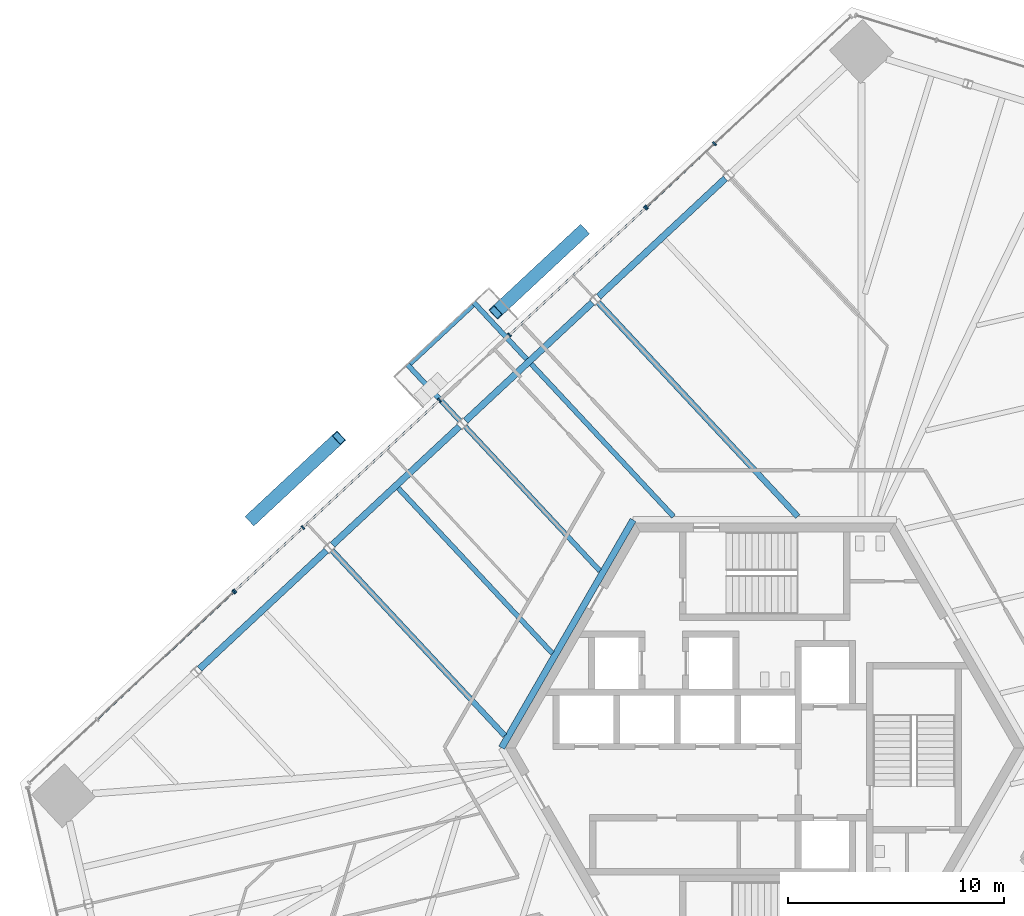
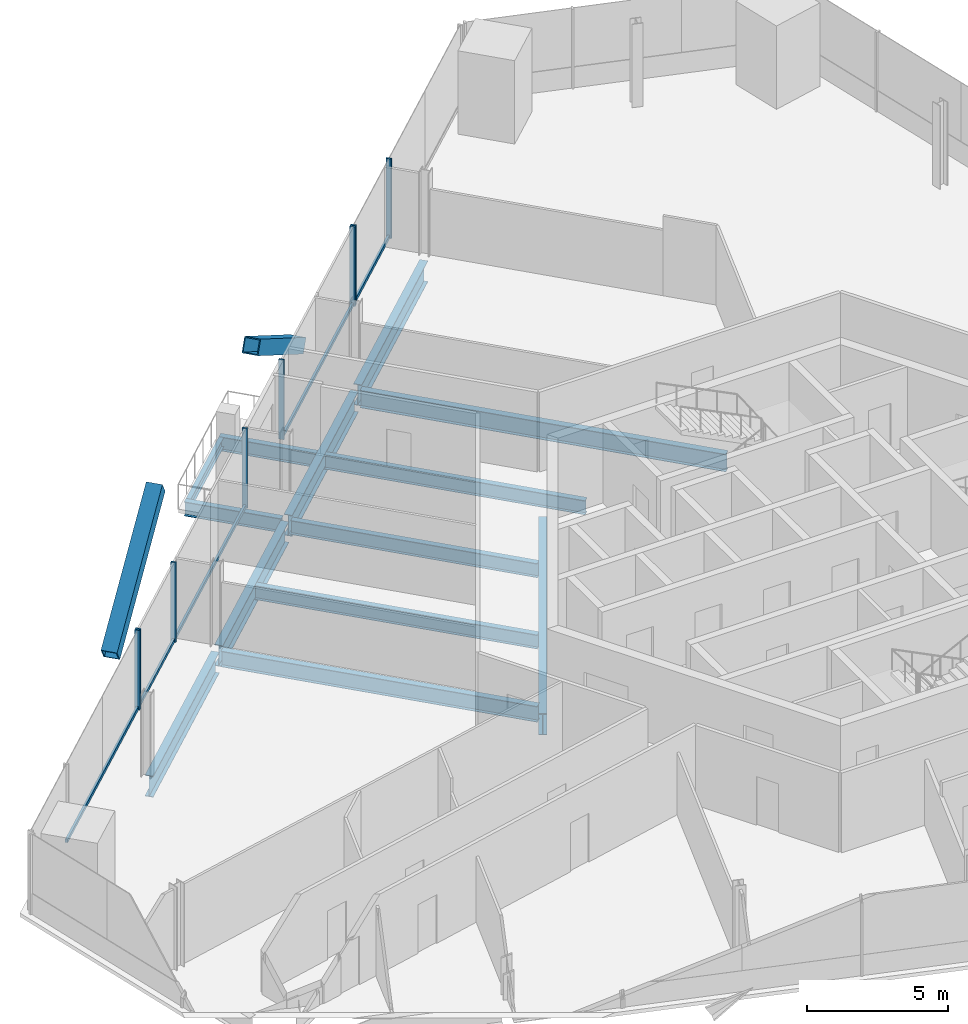
# One storey, part 7 of 19: 15 members, 13 beams, 4 elements without a shape of their own.
"""IFC4 building model written with IfcOpenShell, lengths in metres."""

from ifc_helpers import new_model, si_unit, direction, frame, origin, origin_2d, place, context, subcontext, project, spatial, rectangle, hollow_rectangle, i_section, extrude, source, transform, mapped, material, material_profile, profile_set, type_object, element, aggregate, save


model = new_model("IFC4")

# Units and contexts
model_context = context("Model", 3, precision=1e-05, world=origin(), true_north=direction((0.0, 1.0)))
body_context = subcontext(model_context, "Body", "Model", "MODEL_VIEW")
ifc_project = project(units=[si_unit("LENGTHUNIT", "METRE"), si_unit("AREAUNIT", "SQUARE_METRE"), si_unit("VOLUMEUNIT", "CUBIC_METRE"), si_unit("PLANEANGLEUNIT", "RADIAN"), si_unit("MASSUNIT", "GRAM", prefix="KILO")], contexts=[model_context])

# Site, building, storey
site_placement = place(None, origin())
site = spatial("IfcSite", under=ifc_project, at=site_placement, CompositionType="ELEMENT")
building_placement = place(site_placement, origin())
building = spatial("IfcBuilding", under=site, at=building_placement, Name="Triune Harvest Tower", CompositionType="ELEMENT")
storey_placement = place(building_placement, frame((0.0, 0.0, 109.10009765625)))
storey = spatial("IfcBuildingStorey", under=building, at=storey_placement, Name="L27", CompositionType="ELEMENT", Elevation=109.10009765625)

# Curtain wall, member
ifc_material_1 = material(Name="Aluminium bronze anodised", Category="aluminium")
curtain_wall_type_1 = type_object("IfcCurtainWallType", Name="CW-6 Balcony window wall", PredefinedType="NOTDEFINED", material=ifc_material_1)
curtain_wall_1_placement = place(storey_placement, origin())
curtain_wall_1 = element("IfcCurtainWall", 1, at=curtain_wall_1_placement, inside=storey, type_object=curtain_wall_type_1, Name="CW-6 B3-F3 L27 run 1")
ifc_material_2 = material(Name="Aluminium bronze anodised", Category="aluminium")
ifc_material_profile_1 = material_profile(ifc_material_2, rectangle(XDim=0.090087890625, YDim=0.14990234375, at=origin_2d()), Name="TR-6 transom 90 x 150")
ifc_profile_set_1 = profile_set([ifc_material_profile_1], Name="Aluminium bronze anodised")
member_type_1 = type_object("IfcMemberType", Name="TR-6 transom 90 x 150", PredefinedType="USERDEFINED", material=ifc_profile_set_1)
member_1_placement = place(storey_placement, frame((-2.35205078125, 27.921142578125, 0.074951171875), z_axis=(-0.73133397282, -0.682019515996, 0.0), x_axis=(0.682019515996, -0.73133397282, 0.0)))
member_1 = element("IfcMember", 2, at=member_1_placement, type_object=member_type_1, Name="CW-6 transom B3-F3 1.2", ObjectType="TRANSOM", PredefinedType="USERDEFINED", context=body_context, shape_type="SweptSolid", body=[
    extrude(rectangle(XDim=0.090087890625, YDim=0.14990234375, at=origin_2d()), origin(), (0.0, 0.0, 1.0), 4.222900390625),
])

curtain_wall_2_placement = place(storey_placement, origin())
curtain_wall_2 = element("IfcCurtainWall", 3, at=curtain_wall_2_placement, inside=storey, type_object=curtain_wall_type_1, Name="CW-6 B3-F3 L27 run 1002")
member_2_placement = place(storey_placement, frame((-24.593994140625, 7.179931640625, 0.074951171875), z_axis=(-0.731363292822, -0.681988074612, 0.0), x_axis=(0.681988074612, -0.731363292822, 0.0)))
member_2 = element("IfcMember", 4, at=member_2_placement, type_object=member_type_1, Name="CW-6 transom B3-F3 1002.1", ObjectType="TRANSOM", PredefinedType="USERDEFINED", context=body_context, shape_type="SweptSolid", body=[
    extrude(rectangle(XDim=0.090087890625, YDim=0.14990234375, at=origin_2d()), origin(), (0.0, 0.0, 1.0), 8.56396484375),
])

# Beams
ifc_material_3 = material(Name="Steel ASTM A992 Gr 50", Category="steel")
ifc_material_profile_2 = material_profile(ifc_material_3, i_section(OverallWidth=0.3046875, OverallDepth=0.914306640625, WebThickness=0.0166015625, FlangeThickness=0.02587890625, at=origin_2d()), Name="W36x160")
ifc_profile_set_2 = profile_set([ifc_material_profile_2], Name="Steel ASTM A992 Gr 50")
beam_type_1 = type_object("IfcBeamType", Name="CG-1 Core ring girder W36x160", PredefinedType="BEAM", material=ifc_profile_set_2)
shared_shape_1 = source(origin(), body_context, "Body", "SweptSolid", [
    extrude(i_section(OverallWidth=0.3046875, OverallDepth=0.914306640625, WebThickness=0.0166015625, FlangeThickness=0.02587890625, at=origin_2d()), origin(), (0.0, 0.0, 1.0), 12.176025390625),
])
beam_1_placement = place(storey_placement, frame((-6.087890625, 10.544677734375, -0.6171875), z_axis=(-0.5000099932, -0.866019634131, 0.0), x_axis=(0.866019634131, -0.5000099932, 0.0)))
element("IfcBeam", 5, at=beam_1_placement, inside=storey, type_object=beam_type_1, Name="beam/L27/CG3", PredefinedType="BEAM", context=body_context, shape_type="MappedRepresentation", body=[
    mapped(shared_shape_1, transform((0.0, 0.0, 0.0), scale=1.0)),
])
ifc_material_4 = material(Name="Steel ASTM A992 Gr 50", Category="steel")
ifc_material_profile_3 = material_profile(ifc_material_4, i_section(OverallWidth=0.3046875, OverallDepth=0.914306640625, WebThickness=0.0166015625, FlangeThickness=0.02587890625, at=origin_2d()), Name="W36x160")
ifc_profile_set_3 = profile_set([ifc_material_profile_3], Name="Steel ASTM A992 Gr 50")
beam_type_2 = type_object("IfcBeamType", Name="SB-1 Spandrel beam W36x160", PredefinedType="SPANDREL", material=ifc_profile_set_3)
shared_shape_2 = source(origin(), body_context, "Body", "SweptSolid", [
    extrude(i_section(OverallWidth=0.3046875, OverallDepth=0.914306640625, WebThickness=0.0166015625, FlangeThickness=0.02587890625, at=origin_2d()), origin(), (0.0, 0.0, 1.0), 8.018310546875),
])
for number, where, z_axis, x_axis, name in (
    (6, (-7.9755859375, 20.600341796875, -0.6171875), (-0.731353889465, -0.681998158623, 0.0), (0.681998158623, -0.731353889465, 0.0), "beam/L27/SB11"),
    (7, (-14.129638671875, 14.86181640625, -0.6171875), (-0.731353889465, -0.681998158623, 0.0), (0.681998158623, -0.731353889465, 0.0), "beam/L27/SB12"),
):
    element("IfcBeam", number, at=place(storey_placement, frame(where, z_axis=z_axis, x_axis=x_axis)), inside=storey, type_object=beam_type_2, Name=name, PredefinedType="SPANDREL", context=body_context, shape_type="MappedRepresentation", body=[
        mapped(shared_shape_2, transform((0.0, 0.0, 0.0), scale=1.0)),
    ])
shared_shape_3 = source(origin(), body_context, "Body", "SweptSolid", [
    extrude(i_section(OverallWidth=0.3046875, OverallDepth=0.914306640625, WebThickness=0.0166015625, FlangeThickness=0.02587890625, at=origin_2d()), origin(), (0.0, 0.0, 1.0), 8.01806640625),
])
for number, where, z_axis, x_axis, name in (
    (8, (-1.82177734375, 26.339111328125, -0.6171875), (-0.731339727109, -0.682013345582, 0.0), (0.682013345582, -0.731339727109, 0.0), "beam/L27/SB10"),
    (9, (-20.28369140625, 9.123046875, -0.6171875), (-0.731339727109, -0.682013345582, 0.0), (0.682013345582, -0.731339727109, 0.0), "beam/L27/SB13"),
):
    element("IfcBeam", number, at=place(storey_placement, frame(where, z_axis=z_axis, x_axis=x_axis)), inside=storey, type_object=beam_type_2, Name=name, PredefinedType="SPANDREL", context=body_context, shape_type="MappedRepresentation", body=[
        mapped(shared_shape_3, transform((0.0, 0.0, 0.0), scale=1.0)),
    ])
ifc_material_5 = material(Name="Steel ASTM A992 Gr 50", Category="steel")
ifc_material_profile_4 = material_profile(ifc_material_5, i_section(OverallWidth=0.2666015625, OverallDepth=0.7568359375, WebThickness=0.013916015625, FlangeThickness=0.019287109375, at=origin_2d()), Name="W30x108")
ifc_profile_set_4 = profile_set([ifc_material_profile_4], Name="Steel ASTM A992 Gr 50")
beam_type_3 = type_object("IfcBeamType", Name="JT-5 Floor joist W30x108", PredefinedType="JOIST", material=ifc_profile_set_4)
shared_shape_4 = source(origin(), body_context, "Body", "SweptSolid", [
    extrude(i_section(OverallWidth=0.2666015625, OverallDepth=0.7568359375, WebThickness=0.013916015625, FlangeThickness=0.019287109375, at=origin_2d()), origin(), (0.0, 0.0, 1.0), 13.535400390625),
])
beam_2_placement = place(storey_placement, frame((-7.700927734375, 20.59619140625, -0.53857421875), z_axis=(0.681991710808, -0.731359902093, 0.0), x_axis=(0.731359902093, 0.681991710808, 0.0)))
element("IfcBeam", 10, at=beam_2_placement, inside=storey, type_object=beam_type_3, Name="beam/L27/JT17", PredefinedType="JOIST", context=body_context, shape_type="MappedRepresentation", body=[
    mapped(shared_shape_4, transform((0.0, 0.0, 0.0), scale=1.0)),
])
ifc_material_6 = material(Name="Steel ASTM A992 Gr 50", Category="steel")
ifc_material_profile_5 = material_profile(ifc_material_6, i_section(OverallWidth=0.22900390625, OverallDepth=0.612060546875, WebThickness=0.011962890625, FlangeThickness=0.01953125, at=origin_2d()), Name="W24x84")
ifc_profile_set_5 = profile_set([ifc_material_profile_5], Name="Steel ASTM A992 Gr 50")
beam_type_4 = type_object("IfcBeamType", Name="JT-3 Floor joist W24x84", PredefinedType="JOIST", material=ifc_profile_set_5)
shared_shape_5 = source(origin(), body_context, "Body", "SweptSolid", [
    extrude(i_section(OverallWidth=0.22900390625, OverallDepth=0.612060546875, WebThickness=0.011962890625, FlangeThickness=0.01953125, at=origin_2d()), origin(), (0.0, 0.0, 1.0), 9.64990234375),
])
beam_3_placement = place(storey_placement, frame((-10.8037109375, 17.754638671875, -0.46630859375), z_axis=(0.681982850357, -0.731368164346, 0.0), x_axis=(0.731368164346, 0.681982850357, 0.0)))
element("IfcBeam", 11, at=beam_3_placement, inside=storey, type_object=beam_type_4, Name="beam/L27/JT18", PredefinedType="JOIST", context=body_context, shape_type="MappedRepresentation", body=[
    mapped(shared_shape_5, transform((0.0, 0.0, 0.0), scale=1.0)),
])
shared_shape_6 = source(origin(), body_context, "Body", "SweptSolid", [
    extrude(i_section(OverallWidth=0.22900390625, OverallDepth=0.612060546875, WebThickness=0.011962890625, FlangeThickness=0.01953125, at=origin_2d()), origin(), (0.0, 0.0, 1.0), 9.12890625),
])
beam_4_placement = place(storey_placement, frame((-13.854736328125, 14.857421875, -0.46630859375), z_axis=(0.681991349896, -0.731360238642, 0.0), x_axis=(0.731360238642, 0.681991349896, 0.0)))
element("IfcBeam", 12, at=beam_4_placement, inside=storey, type_object=beam_type_4, Name="beam/L27/JT19", PredefinedType="JOIST", context=body_context, shape_type="MappedRepresentation", body=[
    mapped(shared_shape_6, transform((0.0, 0.0, 0.0), scale=1.0)),
])
shared_shape_7 = source(origin(), body_context, "Body", "SweptSolid", [
    extrude(i_section(OverallWidth=0.22900390625, OverallDepth=0.612060546875, WebThickness=0.011962890625, FlangeThickness=0.01953125, at=origin_2d()), origin(), (0.0, 0.0, 1.0), 10.453369140625),
])
beam_5_placement = place(storey_placement, frame((-16.957763671875, 12.01611328125, -0.46630859375), z_axis=(0.681989491602, -0.731361971492, 0.0), x_axis=(0.731361971492, 0.681989491602, 0.0)))
element("IfcBeam", 13, at=beam_5_placement, inside=storey, type_object=beam_type_4, Name="beam/L27/JT20", PredefinedType="JOIST", context=body_context, shape_type="MappedRepresentation", body=[
    mapped(shared_shape_7, transform((0.0, 0.0, 0.0), scale=1.0)),
])
ifc_material_7 = material(Name="Steel ASTM A992 Gr 50", Category="steel")
ifc_material_profile_6 = material_profile(ifc_material_7, i_section(OverallWidth=0.253662109375, OverallDepth=0.683349609375, WebThickness=0.012451171875, FlangeThickness=0.01904296875, at=origin_2d()), Name="W27x94")
ifc_profile_set_6 = profile_set([ifc_material_profile_6], Name="Steel ASTM A992 Gr 50")
beam_type_5 = type_object("IfcBeamType", Name="JT-4 Floor joist W27x94", PredefinedType="JOIST", material=ifc_profile_set_6)
shared_shape_8 = source(origin(), body_context, "Body", "SweptSolid", [
    extrude(i_section(OverallWidth=0.253662109375, OverallDepth=0.683349609375, WebThickness=0.012451171875, FlangeThickness=0.01904296875, at=origin_2d()), origin(), (0.0, 0.0, 1.0), 11.70166015625),
])
beam_6_placement = place(storey_placement, frame((-20.0087890625, 9.118896484375, -0.501708984375), z_axis=(0.681994076682, -0.731357695913, 0.0), x_axis=(0.731357695913, 0.681994076682, 0.0)))
element("IfcBeam", 14, at=beam_6_placement, inside=storey, type_object=beam_type_5, Name="beam/L27/JT21", PredefinedType="JOIST", context=body_context, shape_type="MappedRepresentation", body=[
    mapped(shared_shape_8, transform((0.0, 0.0, 0.0), scale=1.0)),
])

# Members
ifc_material_8 = material(Name="Steel ASTM A572 Gr 50", Category="steel")
ifc_material_profile_7 = material_profile(ifc_material_8, hollow_rectangle(XDim=0.60009765625, YDim=0.60009765625, WallThickness=0.0400390625, at=origin_2d()), Name="Box 600x600x40")
ifc_profile_set_7 = profile_set([ifc_material_profile_7], Name="Steel ASTM A572 Gr 50")
member_type_2 = type_object("IfcMemberType", Name="BR-2 Brace Box 600x600x40", PredefinedType="BRACE", material=ifc_profile_set_7)
shared_shape_9 = source(origin(), body_context, "Body", "SweptSolid", [
    extrude(hollow_rectangle(XDim=0.60009765625, YDim=0.60009765625, WallThickness=0.0400390625, at=origin_2d()), origin(), (0.0, 0.0, 1.0), 6.566162109375),
])
for number, where, z_axis, x_axis, name in (
    (15, (-8.43310546875, 23.89111328125, 0.0), (-0.611664462076, -0.570356382485, 0.548233693594), (0.681979201201, -0.731371567077, 0.0), "brace/B3-F3/d1/4"),
    (16, (-23.72216796875, 10.591064453125, 0.0), (0.611664462076, 0.570356382485, 0.548233693594), (-0.681979201201, 0.731371567077, 0.0), "brace/B3-F3/d2/4"),
):
    element("IfcMember", number, at=place(storey_placement, frame(where, z_axis=z_axis, x_axis=x_axis)), inside=storey, type_object=member_type_2, Name=name, PredefinedType="BRACE", context=body_context, shape_type="MappedRepresentation", body=[
        mapped(shared_shape_9, transform((0.0, 0.0, 0.0), scale=1.0)),
    ])

# Member
ifc_material_9 = material(Name="Aluminium bronze anodised", Category="aluminium")
ifc_material_profile_8 = material_profile(ifc_material_9, rectangle(XDim=0.199951171875, YDim=0.074951171875, at=origin_2d()), Name="MU-6 mullion 75 x 200")
ifc_profile_set_8 = profile_set([ifc_material_profile_8], Name="Aluminium bronze anodised")
member_type_3 = type_object("IfcMemberType", Name="MU-6 mullion 75 x 200", PredefinedType="MULLION", material=ifc_profile_set_8)
shared_shape_10 = source(origin(), body_context, "Body", "SweptSolid", [
    extrude(rectangle(XDim=0.199951171875, YDim=0.074951171875, at=origin_2d()), origin(), (0.0, 0.0, 1.0), 3.43994140625),
])
member_3_placement = place(storey_placement, frame((-2.32470703125, 27.946533203125, 0.0), z_axis=(0.0, 0.0, 1.0), x_axis=(0.681996867032, -0.73135509389, 0.0)))
member_3 = element("IfcMember", 17, at=member_3_placement, type_object=member_type_3, Name="CW-6 mullion B3-F3 1.3", PredefinedType="MULLION", context=body_context, shape_type="MappedRepresentation", body=[
    mapped(shared_shape_10, transform((0.0, 0.0, 0.0), scale=1.0)),
])

member_4_placement = place(storey_placement, frame((-5.4677734375, 25.015380859375, 0.0), z_axis=(0.0, 0.0, 1.0), x_axis=(0.681996867032, -0.73135509389, 0.0)))
member_4 = element("IfcMember", 18, at=member_4_placement, type_object=member_type_3, Name="CW-6 mullion B3-F3 1.4", PredefinedType="MULLION", context=body_context, shape_type="MappedRepresentation", body=[
    mapped(shared_shape_10, transform((0.0, 0.0, 0.0), scale=1.0)),
])

aggregate(curtain_wall_1, [member_3, member_4, member_1])

# Curtain wall, members
ifc_material_10 = material(Name="Aluminium bronze anodised", Category="aluminium")
curtain_wall_type_2 = type_object("IfcCurtainWallType", Name="CW-10 Balcony window wall with insulated spandrel infill", PredefinedType="NOTDEFINED", material=ifc_material_10)
curtain_wall_3_placement = place(storey_placement, origin())
curtain_wall_3 = element("IfcCurtainWall", 19, at=curtain_wall_3_placement, inside=storey, type_object=curtain_wall_type_2, Name="CW-10 B3-F3 L27 run 1001")
member_5_placement = place(storey_placement, frame((-5.522705078125, 24.96435546875, 0.0), z_axis=(0.0, 0.0, 1.0), x_axis=(0.682001504917, -0.731350768982, 0.0)))
member_5 = element("IfcMember", 20, at=member_5_placement, type_object=member_type_3, Name="CW-10 mullion B3-F3 1001.1", PredefinedType="MULLION", context=body_context, shape_type="MappedRepresentation", body=[
    mapped(shared_shape_10, transform((0.0, 0.0, 0.0), scale=1.0)),
])
member_6_placement = place(storey_placement, frame((-11.80908203125, 19.10205078125, 0.0), z_axis=(0.0, 0.0, 1.0), x_axis=(0.682001504917, -0.731350768982, 0.0)))
member_6 = element("IfcMember", 21, at=member_6_placement, type_object=member_type_3, Name="CW-10 mullion B3-F3 1001.3", PredefinedType="MULLION", context=body_context, shape_type="MappedRepresentation", body=[
    mapped(shared_shape_10, transform((0.0, 0.0, 0.0), scale=1.0)),
])

curtain_wall_4_placement = place(storey_placement, origin())
curtain_wall_4 = element("IfcCurtainWall", 22, at=curtain_wall_4_placement, inside=storey, type_object=curtain_wall_type_2, Name="CW-10 B3-F3 L27 run 2")
member_7_placement = place(storey_placement, frame((-15.0478515625, 16.08203125, 0.0), z_axis=(0.0, 0.0, 1.0), x_axis=(0.681998987822, -0.731353116224, 0.0)))
member_7 = element("IfcMember", 23, at=member_7_placement, type_object=member_type_3, Name="CW-10 mullion B3-F3 2.1", PredefinedType="MULLION", context=body_context, shape_type="MappedRepresentation", body=[
    mapped(shared_shape_10, transform((0.0, 0.0, 0.0), scale=1.0)),
])
member_8_placement = place(storey_placement, frame((-21.3662109375, 10.18994140625, 0.0), z_axis=(0.0, 0.0, 1.0), x_axis=(0.681998987822, -0.731353116224, 0.0)))
member_8 = element("IfcMember", 24, at=member_8_placement, type_object=member_type_3, Name="CW-10 mullion B3-F3 2.3", PredefinedType="MULLION", context=body_context, shape_type="MappedRepresentation", body=[
    mapped(shared_shape_10, transform((0.0, 0.0, 0.0), scale=1.0)),
])
member_9_placement = place(storey_placement, frame((-24.51171875, 7.2568359375, 0.0), z_axis=(0.0, 0.0, 1.0), x_axis=(0.681998987822, -0.731353116224, 0.0)))
member_9 = element("IfcMember", 25, at=member_9_placement, type_object=member_type_3, Name="CW-10 mullion B3-F3 2.4", PredefinedType="MULLION", context=body_context, shape_type="MappedRepresentation", body=[
    mapped(shared_shape_10, transform((0.0, 0.0, 0.0), scale=1.0)),
])

# Member
member_10_placement = place(storey_placement, frame((-24.56640625, 7.20556640625, 0.0), z_axis=(0.0, 0.0, 1.0), x_axis=(0.681998456537, -0.731353611655, 0.0)))
member_10 = element("IfcMember", 26, at=member_10_placement, type_object=member_type_3, Name="CW-6 mullion B3-F3 1002.1", PredefinedType="MULLION", context=body_context, shape_type="MappedRepresentation", body=[
    mapped(shared_shape_10, transform((0.0, 0.0, 0.0), scale=1.0)),
])

aggregate(curtain_wall_2, [member_10, member_2])

# Beam
ifc_material_11 = material(Name="Steel ASTM A992 Gr 50", Category="steel")
ifc_material_profile_9 = material_profile(ifc_material_11, i_section(OverallWidth=0.22900390625, OverallDepth=0.612060546875, WebThickness=0.011962890625, FlangeThickness=0.01953125, at=origin_2d()), Name="W24x84")
ifc_profile_set_9 = profile_set([ifc_material_profile_9], Name="Steel ASTM A992 Gr 50")
beam_type_6 = type_object("IfcBeamType", Name="BJ-3 Balcony cantilever joist W24x84", PredefinedType="JOIST", material=ifc_profile_set_9)
shared_shape_11 = source(origin(), body_context, "Body", "SweptSolid", [
    extrude(i_section(OverallWidth=0.22900390625, OverallDepth=0.612060546875, WebThickness=0.011962890625, FlangeThickness=0.01953125, at=origin_2d()), origin(), (0.0, 0.0, 1.0), 3.597412109375),
])
beam_7_placement = place(storey_placement, frame((-11.01171875, 17.9775390625, -0.46630859375), z_axis=(-0.681972402572, 0.73137790651, 0.0), x_axis=(-0.73137790651, -0.681972402572, 0.0)))
element("IfcBeam", 27, at=beam_7_placement, inside=storey, type_object=beam_type_6, Name="Balcony cantilever joist B3-F3 L27.6a", PredefinedType="JOIST", context=body_context, shape_type="MappedRepresentation", body=[
    mapped(shared_shape_11, transform((0.0, 0.0, 0.0), scale=1.0)),
])

# Member
shared_shape_12 = source(origin(), body_context, "Body", "SweptSolid", [
    extrude(rectangle(XDim=0.090087890625, YDim=0.14990234375, at=origin_2d()), origin(), (0.0, 0.0, 1.0), 8.520751953125),
])
member_11_placement = place(storey_placement, frame((-5.550048828125, 24.938720703125, 0.074951171875), z_axis=(-0.731360098064, -0.681991500651, 0.0), x_axis=(0.681991500651, -0.731360098064, 0.0)))
member_11 = element("IfcMember", 28, at=member_11_placement, type_object=member_type_1, Name="CW-10 transom B3-F3 1001.1", ObjectType="TRANSOM", PredefinedType="USERDEFINED", context=body_context, shape_type="MappedRepresentation", body=[
    mapped(shared_shape_12, transform((0.0, 0.0, 0.0), scale=1.0)),
])

aggregate(curtain_wall_3, [member_5, member_6, member_11])

# Beams
shared_shape_13 = source(origin(), body_context, "Body", "SweptSolid", [
    extrude(i_section(OverallWidth=0.22900390625, OverallDepth=0.612060546875, WebThickness=0.011962890625, FlangeThickness=0.01953125, at=origin_2d()), origin(), (0.0, 0.0, 1.0), 3.597900390625),
])
beam_8_placement = place(storey_placement, frame((-14.088623046875, 15.108154296875, -0.46630859375), z_axis=(-0.681974854562, 0.731375620147, 0.0), x_axis=(-0.731375620147, -0.681974854562, 0.0)))
element("IfcBeam", 29, at=beam_8_placement, inside=storey, type_object=beam_type_6, Name="Balcony cantilever joist B3-F3 L27.6b", PredefinedType="JOIST", context=body_context, shape_type="MappedRepresentation", body=[
    mapped(shared_shape_13, transform((0.0, 0.0, 0.0), scale=1.0)),
])
ifc_material_12 = material(Name="Steel ASTM A992 Gr 50", Category="steel")
ifc_material_profile_10 = material_profile(ifc_material_12, i_section(OverallWidth=0.180908203125, OverallDepth=0.41650390625, WebThickness=0.010986328125, FlangeThickness=0.01806640625, at=origin_2d()), Name="W16x57")
ifc_profile_set_10 = profile_set([ifc_material_profile_10], Name="Steel ASTM A992 Gr 50")
beam_type_7 = type_object("IfcBeamType", Name="BE-1 balcony edge beam W16x57", PredefinedType="BEAM", material=ifc_profile_set_10)
shared_shape_14 = source(origin(), body_context, "Body", "SweptSolid", [
    extrude(i_section(OverallWidth=0.180908203125, OverallDepth=0.41650390625, WebThickness=0.010986328125, FlangeThickness=0.01806640625, at=origin_2d()), origin(), (0.0, 0.0, 1.0), 3.97802734375),
])
beam_9_placement = place(storey_placement, frame((-16.396728515625, 17.75146484375, -0.368408203125), z_axis=(0.73137764803, 0.681972679777, 0.0), x_axis=(-0.681972679777, 0.73137764803, 0.0)))
element("IfcBeam", 30, at=beam_9_placement, inside=storey, type_object=beam_type_7, Name="Balcony edge beam B3-F3 L27.6", PredefinedType="BEAM", context=body_context, shape_type="MappedRepresentation", body=[
    mapped(shared_shape_14, transform((0.0, 0.0, 0.0), scale=1.0)),
])

# Member
shared_shape_15 = source(origin(), body_context, "Body", "SweptSolid", [
    extrude(rectangle(XDim=0.090087890625, YDim=0.14990234375, at=origin_2d()), origin(), (0.0, 0.0, 1.0), 8.564453125),
])
member_12_placement = place(storey_placement, frame((-15.0751953125, 16.056396484375, 0.074951171875), z_axis=(-0.731362332913, -0.681989104015, 0.0), x_axis=(0.681989104015, -0.731362332913, 0.0)))
member_12 = element("IfcMember", 31, at=member_12_placement, type_object=member_type_1, Name="CW-10 transom B3-F3 2.1", ObjectType="TRANSOM", PredefinedType="USERDEFINED", context=body_context, shape_type="MappedRepresentation", body=[
    mapped(shared_shape_15, transform((0.0, 0.0, 0.0), scale=1.0)),
])

shared_shape_16 = source(origin(), body_context, "Body", "SweptSolid", [
    extrude(rectangle(XDim=0.090087890625, YDim=0.14990234375, at=origin_2d()), origin(), (0.0, 0.0, 1.0), 4.225830078125),
])
member_13_placement = place(storey_placement, frame((-21.3935546875, 10.164306640625, 0.074951171875), z_axis=(-0.731374117532, -0.68197646602, 0.0), x_axis=(0.68197646602, -0.731374117532, 0.0)))
member_13 = element("IfcMember", 32, at=member_13_placement, type_object=member_type_1, Name="CW-10 transom B3-F3 2.2", ObjectType="TRANSOM", PredefinedType="USERDEFINED", context=body_context, shape_type="MappedRepresentation", body=[
    mapped(shared_shape_16, transform((0.0, 0.0, 0.0), scale=1.0)),
])

aggregate(curtain_wall_4, [member_7, member_8, member_9, member_12, member_13])

save(model, "model.ifc")
